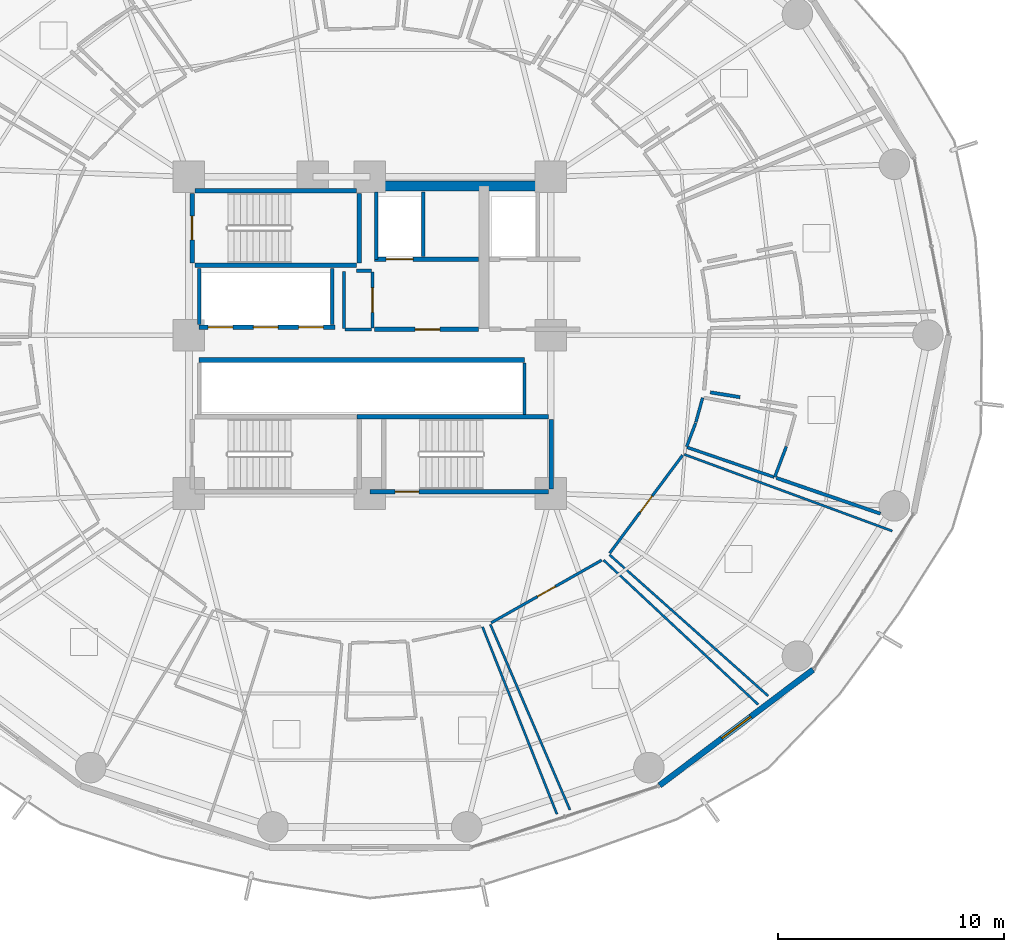
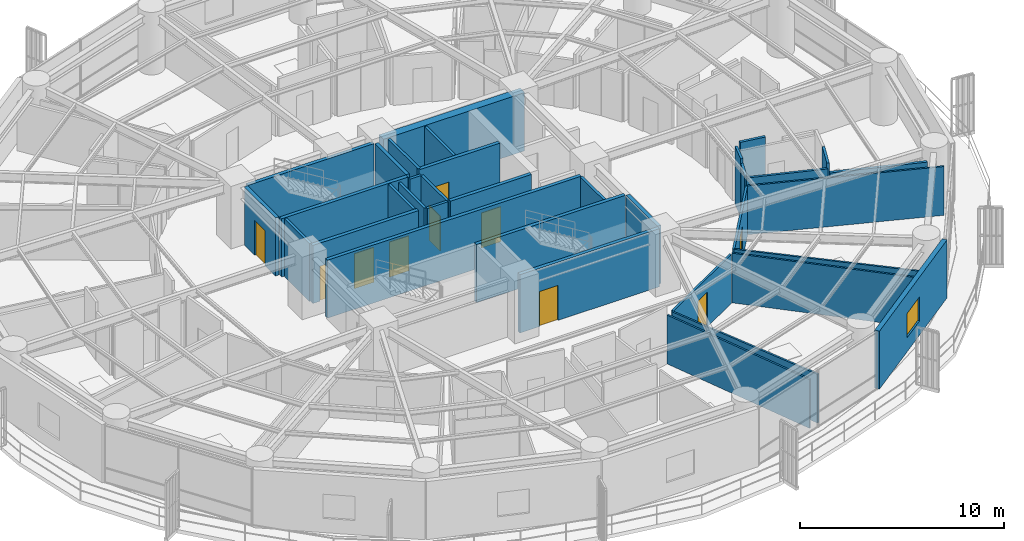
# One storey, part 28 of 35: 35 walls, 10 doors, 1 window, 11 openings.
"""IFC4 building model written with IfcOpenShell, lengths in metres."""

from ifc_helpers import new_model, si_unit, direction, frame, frame_2d, origin, place, context, subcontext, project, spatial, rectangle, extrude, material, layer, layer_set, type_object, element, fill, save


model = new_model("IFC4")

# Units and contexts
model_context = context("Model", 3, precision=1e-05, world=origin(), true_north=direction((0.0, 1.0)))
body_context = subcontext(model_context, "Body", "Model", "MODEL_VIEW")
ifc_project = project(units=[si_unit("LENGTHUNIT", "METRE"), si_unit("AREAUNIT", "SQUARE_METRE"), si_unit("VOLUMEUNIT", "CUBIC_METRE"), si_unit("PLANEANGLEUNIT", "RADIAN"), si_unit("MASSUNIT", "GRAM", prefix="KILO")], contexts=[model_context])

# Site, building, storey
site_placement = place(None, origin())
site = spatial("IfcSite", under=ifc_project, at=site_placement, CompositionType="ELEMENT")
building_placement = place(site_placement, origin())
building = spatial("IfcBuilding", under=site, at=building_placement, Name="Kelanora Arch Commons", CompositionType="ELEMENT")
storey_placement = place(building_placement, frame((0.0, 0.0, 95.10009765625)))
storey = spatial("IfcBuildingStorey", under=building, at=storey_placement, Name="L24", CompositionType="ELEMENT", Elevation=95.10009765625)

# Walls
ifc_material_1 = material(Name="Autoclaved aerated concrete blockwork with fire plaster", Category="masonry")
ifc_layer_1 = layer(ifc_material_1, 0.14990234375)
ifc_layer_set_1 = layer_set([ifc_layer_1], Name="Autoclaved aerated concrete blockwork with fire plaster")
wall_type_1 = type_object("IfcWallType", Name="W-COMP-150", PredefinedType="PARTITIONING", material=ifc_layer_set_1)
wall_1_placement = place(storey_placement, frame((74.280029296875, 61.35009765625, 0.0), z_axis=(0.0, 0.0, 1.0), x_axis=(0.0, 1.0, 0.0)))
element("IfcWall", 1, at=wall_1_placement, inside=storey, type_object=wall_type_1, Name="Firefighting Lift 1 West Shaft Wall L24", PredefinedType="PARTITIONING", context=body_context, shape_type="SweptSolid", body=[
    extrude(rectangle(XDim=2.969970703125, YDim=0.14990234375, at=frame_2d((1.48486328125, 0.0))), origin(), (0.0, 0.0, 1.0), 3.47998046875),
])
wall_2_placement = place(storey_placement, frame((76.360107421875, 61.47998046875, 0.0), z_axis=(0.0, 0.0, 1.0), x_axis=(0.0, 1.0, 0.0)))
element("IfcWall", 2, at=wall_2_placement, inside=storey, type_object=wall_type_1, Name="Firefighting Lift 1 East Shaft Wall L24", PredefinedType="PARTITIONING", context=body_context, shape_type="SweptSolid", body=[
    extrude(rectangle(XDim=2.840087890625, YDim=0.14990234375, at=frame_2d((1.419921875, 0.0))), origin(), (0.0, 0.0, 1.0), 3.47998046875),
])
for number, where, z_axis, x_axis, name in (
    (3, (66.4599609375, 58.47998046875, 0.0), (0.0, 0.0, 1.0), (0.0, 1.0, 0.0), "Low-Rise Lift Bank West Wall L24"),
    (4, (72.340087890625, 58.47998046875, 0.0), (0.0, 0.0, 1.0), (0.0, 1.0, 0.0), "Low-Rise Lift Bank East Wall L24"),
):
    element("IfcWall", number, at=place(storey_placement, frame(where, z_axis=z_axis, x_axis=x_axis)), inside=storey, type_object=wall_type_1, Name=name, PredefinedType="PARTITIONING", context=body_context, shape_type="SweptSolid", body=[
        extrude(rectangle(XDim=2.4599609375, YDim=0.14990234375, at=frame_2d((1.22998046875, 0.0))), origin(), (0.0, 0.0, 1.0), 3.47998046875),
    ])
wall_3_placement = place(storey_placement, frame((80.840087890625, 54.47998046875, 0.0), z_axis=(0.0, 0.0, 1.0), x_axis=(0.0, 1.0, 0.0)))
element("IfcWall", 5, at=wall_3_placement, inside=storey, type_object=wall_type_1, Name="South Lift Bank East Wall L24", PredefinedType="PARTITIONING", context=body_context, shape_type="SweptSolid", body=[
    extrude(rectangle(XDim=2.2900390625, YDim=0.14990234375, at=frame_2d((1.14501953125, 0.0))), origin(), (0.0, 0.0, 1.0), 3.47998046875),
])

# Wall, opening, door
wall_4_placement = place(storey_placement, frame((74.1201171875, 58.31005859375, 0.0), z_axis=(0.0, 0.0, 1.0), x_axis=(0.0, 1.0, 0.0)))
wall_4 = element("IfcWall", 6, at=wall_4_placement, inside=storey, type_object=wall_type_1, Name="Core Linen Supply Store L24 Entry Partition", PredefinedType="PARTITIONING", context=body_context, shape_type="SweptSolid", body=[
    extrude(rectangle(XDim=2.47998046875, YDim=0.14990234375, at=frame_2d((1.239990234375, 0.0))), origin(), (0.0, 0.0, 1.0), 3.47998046875),
])
opening_1_placement = place(wall_4_placement, frame((0.699951171875, 0.0, 0.0)))
opening_1 = element("IfcOpeningElement", 7, at=opening_1_placement, cuts=wall_4, Name="Opening D-PLT1", PredefinedType="OPENING", context=body_context, shape_type="SweptSolid", body=[
    extrude(rectangle(XDim=1.080078125, YDim=2.10009765625, at=frame_2d((0.5400390625, 1.050048828125))), frame((0.0, 0.0849609375, 0.0), z_axis=(0.0, -1.0, 0.0), x_axis=(1.0, 0.0, 0.0)), (0.0, 0.0, 1.0), 0.169921875),
])
ifc_material_2 = material(Name="Galvanised steel plant and riser fire door", Category="steel")
door_type_1 = type_object("IfcDoorType", Name="D-PLT-110", OperationType="NOTDEFINED", PredefinedType="DOOR", material=ifc_material_2)
door_1_placement = place(opening_1_placement, origin())
door_1 = element("IfcDoor", 8, at=door_1_placement, inside=storey, type_object=door_type_1, Name="Core Linen Supply Store L24 Door", OperationType="SINGLE_SWING_RIGHT", OverallHeight=2.10009765625, OverallWidth=1.080078125, PredefinedType="DOOR", context=body_context, shape_type="SweptSolid", body=[
    extrude(rectangle(XDim=1.080078125, YDim=2.10009765625, at=frame_2d((0.5400390625, 1.050048828125))), frame((0.0, 0.02490234375, 0.0), z_axis=(0.0, -1.0, 0.0), x_axis=(1.0, 0.0, 0.0)), (0.0, 0.0, 1.0), 0.050048828125),
])
fill(opening_1, door_1)

# Walls
wall_5_placement = place(storey_placement, frame((72.89990234375, 58.25, 0.0), z_axis=(0.0, 0.0, 1.0), x_axis=(1.0, 0.0, 0.0)))
element("IfcWall", 9, at=wall_5_placement, inside=storey, type_object=wall_type_1, Name="Core Linen Supply Store L24 Enclosure Partition 1", PredefinedType="PARTITIONING", context=body_context, shape_type="SweptSolid", body=[
    extrude(rectangle(XDim=1.18017578125, YDim=0.14990234375, at=frame_2d((0.590087890625, 0.0))), origin(), (0.0, 0.0, 1.0), 3.47998046875),
])
wall_6_placement = place(storey_placement, frame((74.080078125, 60.85009765625, 0.0), z_axis=(0.0, 0.0, 1.0), x_axis=(-1.0, 0.0, 0.0)))
element("IfcWall", 10, at=wall_6_placement, inside=storey, type_object=wall_type_1, Name="Core Linen Supply Store L24 Enclosure Partition 3", PredefinedType="PARTITIONING", context=body_context, shape_type="SweptSolid", body=[
    extrude(rectangle(XDim=0.66015625, YDim=0.14990234375, at=frame_2d((0.330078125, 0.0))), origin(), (0.0, 0.0, 1.0), 3.47998046875),
])
wall_7_placement = place(storey_placement, frame((72.860107421875, 60.81005859375, 0.0), z_axis=(0.0, 0.0, 1.0), x_axis=(0.0, -1.0, 0.0)))
element("IfcWall", 11, at=wall_7_placement, inside=storey, type_object=wall_type_1, Name="Core Linen Supply Store L24 Enclosure Partition 4", PredefinedType="PARTITIONING", context=body_context, shape_type="SweptSolid", body=[
    extrude(rectangle(XDim=2.52001953125, YDim=0.14990234375, at=frame_2d((1.260009765625, 0.0))), origin(), (0.0, 0.0, 1.0), 3.47998046875),
])
wall_8_placement = place(storey_placement, frame((96.58251953125, 50.103515625, 0.0), z_axis=(0.0, 0.0, 1.0), x_axis=(-0.945793886269, 0.324767493288, 0.0)))
element("IfcWall", 12, at=wall_8_placement, inside=storey, type_object=wall_type_1, Name="Co-Living Studio L24-14 Enclosure Partition 5", PredefinedType="PARTITIONING", context=body_context, shape_type="SweptSolid", body=[
    extrude(rectangle(XDim=4.872802734375, YDim=0.14990234375, at=frame_2d((2.4365234375, 0.0))), origin(), (0.0, 0.0, 1.0), 2.9248046875),
])
wall_9_placement = place(storey_placement, frame((90.369140625, 55.255126953125, 0.0), z_axis=(0.0, 0.0, 1.0), x_axis=(-0.986928715278, 0.161157410501, 0.0)))
element("IfcWall", 13, at=wall_9_placement, inside=storey, type_object=wall_type_1, Name="Co-Living Studio L24-14 Enclosure Partition 7", PredefinedType="PARTITIONING", context=body_context, shape_type="SweptSolid", body=[
    extrude(rectangle(XDim=1.33154296875, YDim=0.14990234375, at=frame_2d((0.665771484375, 0.0))), origin(), (0.0, 0.0, 1.0), 3.47998046875),
])
ifc_material_3 = material(Name="Concrete C60/75", Category="concrete")
ifc_layer_2 = layer(ifc_material_3, 0.449951171875)
ifc_layer_set_2 = layer_set([ifc_layer_2], Name="Concrete C60/75")
wall_type_2 = type_object("IfcWallType", Name="W-CORE-450", PredefinedType="SHEAR", material=ifc_layer_set_2)
wall_10_placement = place(storey_placement, frame((74.0, 64.60009765625, 0.0), z_axis=(0.0, 0.0, 1.0), x_axis=(1.0, 0.0, 0.0)))
element("IfcWall", 14, at=wall_10_placement, inside=storey, type_object=wall_type_2, Name="Core Shear Spine L24-CN-E", PredefinedType="SHEAR", context=body_context, shape_type="SweptSolid", body=[
    extrude(rectangle(XDim=8.0, YDim=0.449951171875, at=frame_2d((4.0, 0.0))), origin(), (0.0, 0.0, 1.0), 3.489990234375),
])

# Wall, opening, window
ifc_material_4 = material(Name="Precast concrete C40/50 with terracotta rainscreen", Category="masonry")
ifc_layer_3 = layer(ifc_material_4, 0.260009765625)
ifc_layer_set_3 = layer_set([ifc_layer_3], Name="Precast concrete C40/50 with terracotta rainscreen")
wall_type_3 = type_object("IfcWallType", Name="W-EXT-TC", PredefinedType="SOLIDWALL", material=ifc_layer_set_3)
wall_11_placement = place(storey_placement, frame((86.81201171875, 38.09033203125, 0.0), z_axis=(0.0, 0.0, 1.0), x_axis=(0.798501507879, 0.601992808857, 0.0)))
wall_11 = element("IfcWall", 15, at=wall_11_placement, inside=storey, type_object=wall_type_3, Name="Terracotta Exterior Wall L24-B15", PredefinedType="SOLIDWALL", context=body_context, shape_type="SweptSolid", body=[
    extrude(rectangle(XDim=8.499267578125, YDim=0.260009765625, at=frame_2d((4.24951171875, 0.0))), origin(), (0.0, 0.0, 1.0), 3.474853515625),
])
opening_2_placement = place(wall_11_placement, frame((3.449951171875, 0.0, 0.85009765625)))
opening_2 = element("IfcOpeningElement", 16, at=opening_2_placement, cuts=wall_11, Name="Opening WN-01", PredefinedType="OPENING", context=body_context, shape_type="SweptSolid", body=[
    extrude(rectangle(XDim=1.60009765625, YDim=1.449951171875, at=frame_2d((0.800048828125, 0.72509765625))), frame((0.0, 0.14013671875, 0.0), z_axis=(0.0, -1.0, 0.0), x_axis=(1.0, 0.0, 0.0)), (0.0, 0.0, 1.0), 0.280029296875),
])
ifc_material_5 = material(Name="Terracotta-anodised aluminium frame with operable low-E glazing", Category="masonry")
window_type = type_object("IfcWindowType", Name="WIN-CL-18", PartitioningType="DOUBLE_PANEL_VERTICAL", PredefinedType="WINDOW", material=ifc_material_5)
window_placement = place(opening_2_placement, origin())
window = element("IfcWindow", 17, at=window_placement, inside=storey, type_object=window_type, Name="Co-Living Operable Window L24-B15", OverallHeight=1.449951171875, OverallWidth=1.60009765625, PartitioningType="SINGLE_PANEL", PredefinedType="WINDOW", context=body_context, shape_type="SweptSolid", body=[
    extrude(rectangle(XDim=1.60009765625, YDim=1.449951171875, at=frame_2d((0.800048828125, 0.72509765625))), frame((0.0, 0.030029296875, 0.0), z_axis=(0.0, -1.0, 0.0), x_axis=(1.0, 0.0, 0.0)), (0.0, 0.0, 1.0), 0.06005859375),
])
fill(opening_2, window)

# Wall, opening, door
ifc_material_6 = material(Name="Concrete C40/50", Category="concrete")
ifc_layer_4 = layer(ifc_material_6, 0.199951171875)
ifc_layer_set_4 = layer_set([ifc_layer_4], Name="Concrete C40/50")
wall_type_4 = type_object("IfcWallType", Name="W-FFL-200", PredefinedType="SOLIDWALL", material=ifc_layer_set_4)
wall_12_placement = place(storey_placement, frame((74.199951171875, 61.35009765625, 0.0), z_axis=(0.0, 0.0, 1.0), x_axis=(1.0, 0.0, 0.0)))
wall_12 = element("IfcWall", 18, at=wall_12_placement, inside=storey, type_object=wall_type_4, Name="Firefighting Lift 1 Shaft Front L24", PredefinedType="SOLIDWALL", context=body_context, shape_type="SweptSolid", body=[
    extrude(rectangle(XDim=4.60009765625, YDim=0.199951171875, at=frame_2d((2.300048828125, 0.0))), origin(), (0.0, 0.0, 1.0), 3.47998046875),
])
opening_3_placement = place(wall_12_placement, frame((0.52001953125, 0.0, 0.0)))
opening_3 = element("IfcOpeningElement", 19, at=opening_3_placement, cuts=wall_12, Name="Opening LD-FF", PredefinedType="OPENING", context=body_context, shape_type="SweptSolid", body=[
    extrude(rectangle(XDim=1.199951171875, YDim=2.14990234375, at=frame_2d((0.60009765625, 1.074951171875))), frame((0.0, 0.10986328125, 0.0), z_axis=(0.0, -1.0, 0.0), x_axis=(1.0, 0.0, 0.0)), (0.0, 0.0, 1.0), 0.219970703125),
])
ifc_material_7 = material(Name="Fire-rated firefighters lift sliding landing door")
door_type_2 = type_object("IfcDoorType", Name="D-LIFT-FF", OperationType="NOTDEFINED", PredefinedType="DOOR", material=ifc_material_7)
door_2_placement = place(opening_3_placement, origin())
door_2 = element("IfcDoor", 20, at=door_2_placement, inside=storey, type_object=door_type_2, Name="Firefighting Lift LF-FF1 Landing Door L24", OperationType="DOUBLE_DOOR_SLIDING", OverallHeight=2.14990234375, OverallWidth=1.199951171875, PredefinedType="DOOR", context=body_context, shape_type="SweptSolid", body=[
    extrude(rectangle(XDim=1.199951171875, YDim=2.14990234375, at=frame_2d((0.60009765625, 1.074951171875))), frame((0.0, 0.02490234375, 0.0), z_axis=(0.0, -1.0, 0.0), x_axis=(1.0, 0.0, 0.0)), (0.0, 0.0, 1.0), 0.050048828125),
])
fill(opening_3, door_2)

wall_13_placement = place(storey_placement, frame((74.199951171875, 58.25, 0.0), z_axis=(0.0, 0.0, 1.0), x_axis=(1.0, 0.0, 0.0)))
wall_13 = element("IfcWall", 21, at=wall_13_placement, inside=storey, type_object=wall_type_4, Name="Firefighting Lobby 1 Enclosure Wall L24", PredefinedType="SOLIDWALL", context=body_context, shape_type="SweptSolid", body=[
    extrude(rectangle(XDim=4.60009765625, YDim=0.199951171875, at=frame_2d((2.300048828125, 0.0))), origin(), (0.0, 0.0, 1.0), 3.47998046875),
])
opening_4_placement = place(wall_13_placement, frame((1.800048828125, 0.0, 0.0)))
opening_4 = element("IfcOpeningElement", 22, at=opening_4_placement, cuts=wall_13, Name="Opening D-FFL1", PredefinedType="OPENING", context=body_context, shape_type="SweptSolid", body=[
    extrude(rectangle(XDim=1.10009765625, YDim=2.10009765625, at=frame_2d((0.550048828125, 1.050048828125))), frame((0.0, 0.10986328125, 0.0), z_axis=(0.0, -1.0, 0.0), x_axis=(1.0, 0.0, 0.0)), (0.0, 0.0, 1.0), 0.219970703125),
])
ifc_material_8 = material(Name="Smoke-sealed firefighting lobby fire door")
door_type_3 = type_object("IfcDoorType", Name="D-FFL-110", OperationType="NOTDEFINED", PredefinedType="DOOR", material=ifc_material_8)
door_3_placement = place(opening_4_placement, frame((1.10009765625, 0.0, 0.0), z_axis=(0.0, 0.0, 1.0), x_axis=(-1.0, 0.0, 0.0)))
door_3 = element("IfcDoor", 23, at=door_3_placement, inside=storey, type_object=door_type_3, Name="Firefighting Lobby 1 Door L24", OperationType="SINGLE_SWING_LEFT", OverallHeight=2.10009765625, OverallWidth=1.10009765625, PredefinedType="DOOR", context=body_context, shape_type="SweptSolid", body=[
    extrude(rectangle(XDim=1.10009765625, YDim=2.10009765625, at=frame_2d((0.550048828125, 1.050048828125))), frame((0.0, 0.02490234375, 0.0), z_axis=(0.0, -1.0, 0.0), x_axis=(1.0, 0.0, 0.0)), (0.0, 0.0, 1.0), 0.050048828125),
])
fill(opening_4, door_3)

# Wall, openings, doors
wall_14_placement = place(storey_placement, frame((66.449951171875, 58.35009765625, 0.0), z_axis=(0.0, 0.0, 1.0), x_axis=(1.0, 0.0, 0.0)))
wall_14 = element("IfcWall", 24, at=wall_14_placement, inside=storey, type_object=wall_type_4, Name="Low-Rise Passenger Lift Shaft Front L24", PredefinedType="SOLIDWALL", context=body_context, shape_type="SweptSolid", body=[
    extrude(rectangle(XDim=6.0, YDim=0.199951171875, at=frame_2d((3.0, 0.0))), origin(), (0.0, 0.0, 1.0), 3.47998046875),
])
opening_5_placement = place(wall_14_placement, frame((0.39990234375, 0.0, 0.0)))
opening_5 = element("IfcOpeningElement", 25, at=opening_5_placement, cuts=wall_14, Name="Opening LD-01", PredefinedType="OPENING", context=body_context, shape_type="SweptSolid", body=[
    extrude(rectangle(XDim=1.10009765625, YDim=2.10009765625, at=frame_2d((0.550048828125, 1.050048828125))), frame((0.0, 0.10986328125, 0.0), z_axis=(0.0, -1.0, 0.0), x_axis=(1.0, 0.0, 0.0)), (0.0, 0.0, 1.0), 0.219970703125),
])
opening_6_placement = place(wall_14_placement, frame((2.39990234375, 0.0, 0.0)))
opening_6 = element("IfcOpeningElement", 26, at=opening_6_placement, cuts=wall_14, Name="Opening LD-01", PredefinedType="OPENING", context=body_context, shape_type="SweptSolid", body=[
    extrude(rectangle(XDim=1.10009765625, YDim=2.10009765625, at=frame_2d((0.550048828125, 1.050048828125))), frame((0.0, 0.10986328125, 0.0), z_axis=(0.0, -1.0, 0.0), x_axis=(1.0, 0.0, 0.0)), (0.0, 0.0, 1.0), 0.219970703125),
])
opening_7_placement = place(wall_14_placement, frame((4.39990234375, 0.0, 0.0)))
opening_7 = element("IfcOpeningElement", 27, at=opening_7_placement, cuts=wall_14, Name="Opening LD-01", PredefinedType="OPENING", context=body_context, shape_type="SweptSolid", body=[
    extrude(rectangle(XDim=1.10009765625, YDim=2.10009765625, at=frame_2d((0.550048828125, 1.050048828125))), frame((0.0, 0.10986328125, 0.0), z_axis=(0.0, -1.0, 0.0), x_axis=(1.0, 0.0, 0.0)), (0.0, 0.0, 1.0), 0.219970703125),
])
ifc_material_9 = material(Name="Stainless steel passenger lift sliding landing door", Category="steel")
door_type_4 = type_object("IfcDoorType", Name="D-LIFT-110", OperationType="NOTDEFINED", PredefinedType="DOOR", material=ifc_material_9)
door_4_placement = place(opening_5_placement, origin())
door_4 = element("IfcDoor", 28, at=door_4_placement, inside=storey, type_object=door_type_4, Name="Passenger Lift LF-P1 Landing Door L24", OperationType="DOUBLE_DOOR_SLIDING", OverallHeight=2.10009765625, OverallWidth=1.10009765625, PredefinedType="DOOR", context=body_context, shape_type="SweptSolid", body=[
    extrude(rectangle(XDim=1.10009765625, YDim=2.10009765625, at=frame_2d((0.550048828125, 1.050048828125))), frame((0.0, 0.02490234375, 0.0), z_axis=(0.0, -1.0, 0.0), x_axis=(1.0, 0.0, 0.0)), (0.0, 0.0, 1.0), 0.050048828125),
])
fill(opening_5, door_4)
door_5_placement = place(opening_6_placement, origin())
door_5 = element("IfcDoor", 29, at=door_5_placement, inside=storey, type_object=door_type_4, Name="Passenger Lift LF-P2 Landing Door L24", OperationType="DOUBLE_DOOR_SLIDING", OverallHeight=2.10009765625, OverallWidth=1.10009765625, PredefinedType="DOOR", context=body_context, shape_type="SweptSolid", body=[
    extrude(rectangle(XDim=1.10009765625, YDim=2.10009765625, at=frame_2d((0.550048828125, 1.050048828125))), frame((0.0, 0.02490234375, 0.0), z_axis=(0.0, -1.0, 0.0), x_axis=(1.0, 0.0, 0.0)), (0.0, 0.0, 1.0), 0.050048828125),
])
fill(opening_6, door_5)
door_6_placement = place(opening_7_placement, origin())
door_6 = element("IfcDoor", 30, at=door_6_placement, inside=storey, type_object=door_type_4, Name="Passenger Lift LF-P3 Landing Door L24", OperationType="DOUBLE_DOOR_SLIDING", OverallHeight=2.10009765625, OverallWidth=1.10009765625, PredefinedType="DOOR", context=body_context, shape_type="SweptSolid", body=[
    extrude(rectangle(XDim=1.10009765625, YDim=2.10009765625, at=frame_2d((0.550048828125, 1.050048828125))), frame((0.0, 0.02490234375, 0.0), z_axis=(0.0, -1.0, 0.0), x_axis=(1.0, 0.0, 0.0)), (0.0, 0.0, 1.0), 0.050048828125),
])
fill(opening_7, door_6)

# Walls
wall_15_placement = place(storey_placement, frame((66.449951171875, 56.89990234375, 0.0), z_axis=(0.0, 0.0, 1.0), x_axis=(1.0, 0.0, 0.0)))
element("IfcWall", 31, at=wall_15_placement, inside=storey, type_object=wall_type_4, Name="Mid/High/Express Lift Shaft Front L24", PredefinedType="SOLIDWALL", context=body_context, shape_type="SweptSolid", body=[
    extrude(rectangle(XDim=14.400146484375, YDim=0.199951171875, at=frame_2d((7.2001953125, 0.0))), origin(), (0.0, 0.0, 1.0), 3.47998046875),
])
ifc_material_10 = material(Name="Lightweight fire-rated acoustic stud partition")
ifc_layer_5 = layer(ifc_material_10, 0.10009765625)
ifc_layer_set_5 = layer_set([ifc_layer_5], Name="Lightweight fire-rated acoustic stud partition")
wall_type_5 = type_object("IfcWallType", Name="W-PART-100", PredefinedType="PARTITIONING", material=ifc_layer_set_5)
wall_16_placement = place(storey_placement, frame((78.98291015625, 45.098876953125, 0.0), z_axis=(0.0, 0.0, 1.0), x_axis=(0.369438475108, -0.929255192673, 0.0)))
element("IfcWall", 32, at=wall_16_placement, inside=storey, type_object=wall_type_5, Name="Tutorial Study Alcove L24-11 Enclosure Partition 2", PredefinedType="PARTITIONING", context=body_context, shape_type="SweptSolid", body=[
    extrude(rectangle(XDim=8.908935546875, YDim=0.10009765625, at=frame_2d((4.45458984375, 0.0))), origin(), (0.0, 0.0, 1.0), 2.9248046875),
])
wall_17_placement = place(storey_placement, frame((84.337158203125, 48.052734375, 0.0), z_axis=(0.0, 0.0, 1.0), x_axis=(0.730663657097, -0.682737592489, 0.0)))
element("IfcWall", 33, at=wall_17_placement, inside=storey, type_object=wall_type_5, Name="Quiet Seminar Study Room L24-12 Enclosure Partition 2", PredefinedType="PARTITIONING", context=body_context, shape_type="SweptSolid", body=[
    extrude(rectangle(XDim=9.352783203125, YDim=0.10009765625, at=frame_2d((4.67626953125, 0.0))), origin(), (0.0, 0.0, 1.0), 2.974853515625),
])
wall_18_placement = place(storey_placement, frame((82.84912109375, 37.0078125, 0.0), z_axis=(0.0, 0.0, 1.0), x_axis=(-0.394269081074, 0.918995044442, 0.0)))
element("IfcWall", 34, at=wall_18_placement, inside=storey, type_object=wall_type_5, Name="Quiet Seminar Study Room L24-12 Enclosure Partition 4", PredefinedType="PARTITIONING", context=body_context, shape_type="SweptSolid", body=[
    extrude(rectangle(XDim=8.928466796875, YDim=0.10009765625, at=frame_2d((4.46435546875, 0.0))), origin(), (0.0, 0.0, 1.0), 2.9248046875),
])
wall_19_placement = place(storey_placement, frame((87.903564453125, 52.726318359375, 0.0), z_axis=(0.0, 0.0, 1.0), x_axis=(0.938361829853, -0.345654562063, 0.0)))
element("IfcWall", 35, at=wall_19_placement, inside=storey, type_object=wall_type_5, Name="Quiet Seminar Study Room L24-13 Enclosure Partition 2", PredefinedType="PARTITIONING", context=body_context, shape_type="SweptSolid", body=[
    extrude(rectangle(XDim=9.800048828125, YDim=0.10009765625, at=frame_2d((4.89990234375, 0.0))), origin(), (0.0, 0.0, 1.0), 2.9248046875),
])
wall_20_placement = place(storey_placement, frame((91.611083984375, 42.047607421875, 0.0), z_axis=(0.0, 0.0, 1.0), x_axis=(-0.747021589751, 0.664799777713, 0.0)))
element("IfcWall", 36, at=wall_20_placement, inside=storey, type_object=wall_type_5, Name="Quiet Seminar Study Room L24-13 Enclosure Partition 4", PredefinedType="PARTITIONING", context=body_context, shape_type="SweptSolid", body=[
    extrude(rectangle(XDim=9.383056640625, YDim=0.10009765625, at=frame_2d((4.69140625, 0.0))), origin(), (0.0, 0.0, 1.0), 2.974853515625),
])

# Wall, opening, door
ifc_material_11 = material(Name="Acoustic twin-stud fire-rated gypsum partition")
ifc_layer_6 = layer(ifc_material_11, 0.1201171875)
ifc_layer_set_6 = layer_set([ifc_layer_6], Name="Acoustic twin-stud fire-rated gypsum partition")
wall_type_6 = type_object("IfcWallType", Name="W-PART-120", PredefinedType="PARTITIONING", material=ifc_layer_set_6)
wall_21_placement = place(storey_placement, frame((79.365234375, 45.279541015625, 0.0), z_axis=(0.0, 0.0, 1.0), x_axis=(0.870068136537, 0.49293147372, 0.0)))
wall_21 = element("IfcWall", 37, at=wall_21_placement, inside=storey, type_object=wall_type_6, Name="Quiet Seminar Study Room L24-12 Entry Partition", PredefinedType="PARTITIONING", context=body_context, shape_type="SweptSolid", body=[
    extrude(rectangle(XDim=5.620849609375, YDim=0.1201171875, at=frame_2d((2.810546875, 0.0))), origin(), (0.0, 0.0, 1.0), 2.9248046875),
])
opening_8_placement = place(wall_21_placement, frame((2.360107421875, 0.0, 0.0)))
opening_8 = element("IfcOpeningElement", 38, at=opening_8_placement, cuts=wall_21, Name="Opening D-RM1", PredefinedType="OPENING", context=body_context, shape_type="SweptSolid", body=[
    extrude(rectangle(XDim=0.89990234375, YDim=2.080078125, at=frame_2d((0.449951171875, 1.0400390625))), frame((0.0, 0.070068359375, 0.0), z_axis=(0.0, -1.0, 0.0), x_axis=(1.0, 0.0, 0.0)), (0.0, 0.0, 1.0), 0.14013671875),
])
ifc_material_12 = material(Name="Acoustic fire-rated timber study and lounge door", Category="wood")
door_type_5 = type_object("IfcDoorType", Name="D-ROOM-90", OperationType="NOTDEFINED", PredefinedType="DOOR", material=ifc_material_12)
door_7_placement = place(opening_8_placement, origin())
door_7 = element("IfcDoor", 39, at=door_7_placement, inside=storey, type_object=door_type_5, Name="Quiet Seminar Study Room L24-12 Door", OperationType="SINGLE_SWING_LEFT", OverallHeight=2.080078125, OverallWidth=0.89990234375, PredefinedType="DOOR", context=body_context, shape_type="SweptSolid", body=[
    extrude(rectangle(XDim=0.89990234375, YDim=2.080078125, at=frame_2d((0.449951171875, 1.0400390625))), frame((0.0, 0.02490234375, 0.0), z_axis=(0.0, -1.0, 0.0), x_axis=(1.0, 0.0, 0.0)), (0.0, 0.0, 1.0), 0.050048828125),
])
fill(opening_8, door_7)

wall_22_placement = place(storey_placement, frame((84.60791015625, 48.360107421875, 0.0), z_axis=(0.0, 0.0, 1.0), x_axis=(0.596833425992, 0.802365167251, 0.0)))
wall_22 = element("IfcWall", 40, at=wall_22_placement, inside=storey, type_object=wall_type_6, Name="Quiet Seminar Study Room L24-13 Entry Partition", PredefinedType="PARTITIONING", context=body_context, shape_type="SweptSolid", body=[
    extrude(rectangle(XDim=5.398681640625, YDim=0.1201171875, at=frame_2d((2.69921875, 0.0))), origin(), (0.0, 0.0, 1.0), 2.9248046875),
])
opening_9_placement = place(wall_22_placement, frame((2.2490234375, 0.0, 0.0)))
opening_9 = element("IfcOpeningElement", 41, at=opening_9_placement, cuts=wall_22, Name="Opening D-RM1", PredefinedType="OPENING", context=body_context, shape_type="SweptSolid", body=[
    extrude(rectangle(XDim=0.89990234375, YDim=2.080078125, at=frame_2d((0.449951171875, 1.0400390625))), frame((0.0, 0.070068359375, 0.0), z_axis=(0.0, -1.0, 0.0), x_axis=(1.0, 0.0, 0.0)), (0.0, 0.0, 1.0), 0.14013671875),
])
door_8_placement = place(opening_9_placement, origin())
door_8 = element("IfcDoor", 42, at=door_8_placement, inside=storey, type_object=door_type_5, Name="Quiet Seminar Study Room L24-13 Door", OperationType="SINGLE_SWING_RIGHT", OverallHeight=2.080078125, OverallWidth=0.89990234375, PredefinedType="DOOR", context=body_context, shape_type="SweptSolid", body=[
    extrude(rectangle(XDim=0.89990234375, YDim=2.080078125, at=frame_2d((0.449951171875, 1.0400390625))), frame((0.0, 0.02490234375, 0.0), z_axis=(0.0, -1.0, 0.0), x_axis=(1.0, 0.0, 0.0)), (0.0, 0.0, 1.0), 0.050048828125),
])
fill(opening_9, door_8)

# Walls
ifc_layer_7 = layer(ifc_material_6, 0.199951171875)
ifc_layer_set_7 = layer_set([ifc_layer_7], Name="Concrete C40/50")
wall_type_7 = type_object("IfcWallType", Name="W-STAIR-200", PredefinedType="SHEAR", material=ifc_layer_set_7)
wall_23_placement = place(storey_placement, frame((66.260009765625, 61.080078125, 0.0), z_axis=(0.0, 0.0, 1.0), x_axis=(1.0, 0.0, 0.0)))
element("IfcWall", 43, at=wall_23_placement, inside=storey, type_object=wall_type_7, Name="Stair ST-T1 Shaft Wall S L24", PredefinedType="SHEAR", context=body_context, shape_type="SweptSolid", body=[
    extrude(rectangle(XDim=7.159912109375, YDim=0.199951171875, at=frame_2d((3.580078125, 0.0))), origin(), (0.0, 0.0, 1.0), 3.489990234375),
])
wall_24_placement = place(storey_placement, frame((73.5400390625, 61.199951171875, 0.0), z_axis=(0.0, 0.0, 1.0), x_axis=(0.0, 1.0, 0.0)))
element("IfcWall", 44, at=wall_24_placement, inside=storey, type_object=wall_type_7, Name="Stair ST-T1 Shaft Wall E L24", PredefinedType="SHEAR", context=body_context, shape_type="SweptSolid", body=[
    extrude(rectangle(XDim=3.070068359375, YDim=0.199951171875, at=frame_2d((1.53515625, 0.0))), origin(), (0.0, 0.0, 1.0), 3.489990234375),
])
wall_25_placement = place(storey_placement, frame((73.419921875, 64.389892578125, 0.0), z_axis=(0.0, 0.0, 1.0), x_axis=(-1.0, 0.0, 0.0)))
element("IfcWall", 45, at=wall_25_placement, inside=storey, type_object=wall_type_7, Name="Stair ST-T1 Shaft Wall N L24", PredefinedType="SHEAR", context=body_context, shape_type="SweptSolid", body=[
    extrude(rectangle(XDim=7.159912109375, YDim=0.199951171875, at=frame_2d((3.580078125, 0.0))), origin(), (0.0, 0.0, 1.0), 3.489990234375),
])

# Wall, opening, door
wall_26_placement = place(storey_placement, frame((66.139892578125, 64.27001953125, 0.0), z_axis=(0.0, 0.0, 1.0), x_axis=(0.0, -1.0, 0.0)))
wall_26 = element("IfcWall", 46, at=wall_26_placement, inside=storey, type_object=wall_type_7, Name="Stair ST-T1 Shaft Wall W L24", PredefinedType="SHEAR", context=body_context, shape_type="SweptSolid", body=[
    extrude(rectangle(XDim=3.070068359375, YDim=0.199951171875, at=frame_2d((1.53515625, 0.0))), origin(), (0.0, 0.0, 1.0), 3.489990234375),
])
opening_10_placement = place(wall_26_placement, frame((1.010009765625, 0.0, 0.0)))
opening_10 = element("IfcOpeningElement", 47, at=opening_10_placement, cuts=wall_26, Name="Opening D-ST1", PredefinedType="OPENING", context=body_context, shape_type="SweptSolid", body=[
    extrude(rectangle(XDim=1.050048828125, YDim=2.10009765625, at=frame_2d((0.52490234375, 1.050048828125))), frame((0.0, 0.10986328125, 0.0), z_axis=(0.0, -1.0, 0.0), x_axis=(1.0, 0.0, 0.0)), (0.0, 0.0, 1.0), 0.219970703125),
])
ifc_material_13 = material(Name="Steel fire-rated stairwell escape door", Category="steel")
door_type_6 = type_object("IfcDoorType", Name="D-STAIR-110", OperationType="NOTDEFINED", PredefinedType="DOOR", material=ifc_material_13)
door_9_placement = place(opening_10_placement, origin())
door_9 = element("IfcDoor", 48, at=door_9_placement, inside=storey, type_object=door_type_6, Name="Stair ST-T1 Escape Door L24", OperationType="SINGLE_SWING_LEFT", OverallHeight=2.10009765625, OverallWidth=1.050048828125, PredefinedType="DOOR", context=body_context, shape_type="SweptSolid", body=[
    extrude(rectangle(XDim=1.050048828125, YDim=2.10009765625, at=frame_2d((0.52490234375, 1.050048828125))), frame((0.0, 0.02490234375, 0.0), z_axis=(0.0, -1.0, 0.0), x_axis=(1.0, 0.0, 0.0)), (0.0, 0.0, 1.0), 0.050048828125),
])
fill(opening_10, door_9)

wall_27_placement = place(storey_placement, frame((74.0, 51.080078125, 0.0), z_axis=(0.0, 0.0, 1.0), x_axis=(1.0, 0.0, 0.0)))
wall_27 = element("IfcWall", 49, at=wall_27_placement, inside=storey, type_object=wall_type_7, Name="Stair ST-T2 Shaft Wall S L24", PredefinedType="SHEAR", context=body_context, shape_type="SweptSolid", body=[
    extrude(rectangle(XDim=7.89990234375, YDim=0.199951171875, at=frame_2d((3.949951171875, 0.0))), origin(), (0.0, 0.0, 1.0), 3.489990234375),
])
opening_11_placement = place(wall_27_placement, frame((1.1201171875, 0.0, 0.0)))
opening_11 = element("IfcOpeningElement", 50, at=opening_11_placement, cuts=wall_27, Name="Opening D-ST1", PredefinedType="OPENING", context=body_context, shape_type="SweptSolid", body=[
    extrude(rectangle(XDim=1.050048828125, YDim=2.10009765625, at=frame_2d((0.52490234375, 1.050048828125))), frame((0.0, 0.10986328125, 0.0), z_axis=(0.0, -1.0, 0.0), x_axis=(1.0, 0.0, 0.0)), (0.0, 0.0, 1.0), 0.219970703125),
])
door_10_placement = place(opening_11_placement, origin())
door_10 = element("IfcDoor", 51, at=door_10_placement, inside=storey, type_object=door_type_6, Name="Stair ST-T2 Escape Door L24", OperationType="SINGLE_SWING_LEFT", OverallHeight=2.10009765625, OverallWidth=1.050048828125, PredefinedType="DOOR", context=body_context, shape_type="SweptSolid", body=[
    extrude(rectangle(XDim=1.050048828125, YDim=2.10009765625, at=frame_2d((0.52490234375, 1.050048828125))), frame((0.0, 0.02490234375, 0.0), z_axis=(0.0, -1.0, 0.0), x_axis=(1.0, 0.0, 0.0)), (0.0, 0.0, 1.0), 0.050048828125),
])
fill(opening_11, door_10)

# Walls
wall_28_placement = place(storey_placement, frame((82.02001953125, 51.199951171875, 0.0), z_axis=(0.0, 0.0, 1.0), x_axis=(0.0, 1.0, 0.0)))
element("IfcWall", 52, at=wall_28_placement, inside=storey, type_object=wall_type_7, Name="Stair ST-T2 Shaft Wall E L24", PredefinedType="SHEAR", context=body_context, shape_type="SweptSolid", body=[
    extrude(rectangle(XDim=3.070068359375, YDim=0.199951171875, at=frame_2d((1.53515625, 0.0))), origin(), (0.0, 0.0, 1.0), 3.489990234375),
])
wall_29_placement = place(storey_placement, frame((81.89990234375, 54.389892578125, 0.0), z_axis=(0.0, 0.0, 1.0), x_axis=(-1.0, 0.0, 0.0)))
element("IfcWall", 53, at=wall_29_placement, inside=storey, type_object=wall_type_7, Name="Stair ST-T2 Shaft Wall N L24", PredefinedType="SHEAR", context=body_context, shape_type="SweptSolid", body=[
    extrude(rectangle(XDim=8.4599609375, YDim=0.199951171875, at=frame_2d((4.22998046875, 0.0))), origin(), (0.0, 0.0, 1.0), 3.489990234375),
])
ifc_material_14 = material(Name="Moisture-resistant fire-rated cement-board plumbing wall")
ifc_layer_8 = layer(ifc_material_14, 0.1298828125)
ifc_layer_set_8 = layer_set([ifc_layer_8], Name="Moisture-resistant fire-rated cement-board plumbing wall")
wall_type_8 = type_object("IfcWallType", Name="W-WET-120", PredefinedType="PLUMBINGWALL", material=ifc_layer_set_8)
wall_30_placement = place(storey_placement, frame((88.010009765625, 53.067626953125, 0.0), z_axis=(0.0, 0.0, 1.0), x_axis=(0.353582849957, 0.93540321157, 0.0)))
element("IfcWall", 54, at=wall_30_placement, inside=storey, type_object=wall_type_8, Name="En-Suite Shower WC L24-14 Enclosure Partition 1", PredefinedType="PLUMBINGWALL", context=body_context, shape_type="SweptSolid", body=[
    extrude(rectangle(XDim=1.119873046875, YDim=0.1298828125, at=frame_2d((0.56005859375, 0.0))), origin(), (0.0, 0.0, 1.0), 3.23486328125),
])
wall_31_placement = place(storey_placement, frame((88.418212890625, 54.1533203125, 0.0), z_axis=(0.0, 0.0, 1.0), x_axis=(0.266139738922, 0.963934458024, 0.0)))
element("IfcWall", 55, at=wall_31_placement, inside=storey, type_object=wall_type_8, Name="En-Suite Shower WC L24-14 Enclosure Partition 2", PredefinedType="PLUMBINGWALL", context=body_context, shape_type="SweptSolid", body=[
    extrude(rectangle(XDim=1.11376953125, YDim=0.1298828125, at=frame_2d((0.556884765625, 0.0))), origin(), (0.0, 0.0, 1.0), 3.47998046875),
])
wall_32_placement = place(storey_placement, frame((92.414794921875, 53.072265625, 0.0), z_axis=(0.0, 0.0, 1.0), x_axis=(-0.354833873896, -0.934929367351, 0.0)))
element("IfcWall", 56, at=wall_32_placement, inside=storey, type_object=wall_type_8, Name="En-Suite Shower WC L24-14 Enclosure Partition 5", PredefinedType="PLUMBINGWALL", context=body_context, shape_type="SweptSolid", body=[
    extrude(rectangle(XDim=1.433837890625, YDim=0.1298828125, at=frame_2d((0.716796875, 0.0))), origin(), (0.0, 0.0, 1.0), 3.47998046875),
])
wall_33_placement = place(storey_placement, frame((91.880126953125, 51.719482421875, 0.0), z_axis=(0.0, 0.0, 1.0), x_axis=(-0.945930729077, 0.324368703466, 0.0)))
element("IfcWall", 57, at=wall_33_placement, inside=storey, type_object=wall_type_8, Name="En-Suite Shower WC L24-14 Enclosure Partition 6", PredefinedType="PLUMBINGWALL", context=body_context, shape_type="SweptSolid", body=[
    extrude(rectangle(XDim=4.07861328125, YDim=0.1298828125, at=frame_2d((2.039306640625, 0.0))), origin(), (0.0, 0.0, 1.0), 3.1748046875),
])

save(model, "model.ifc")
